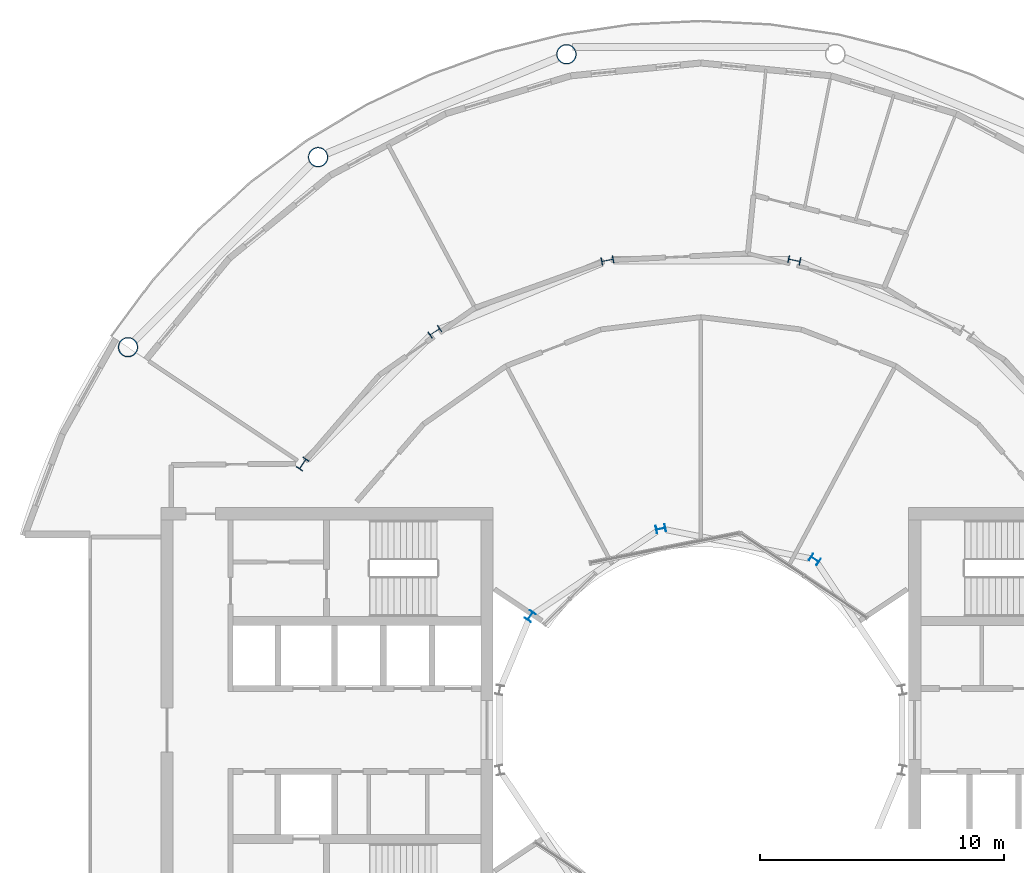
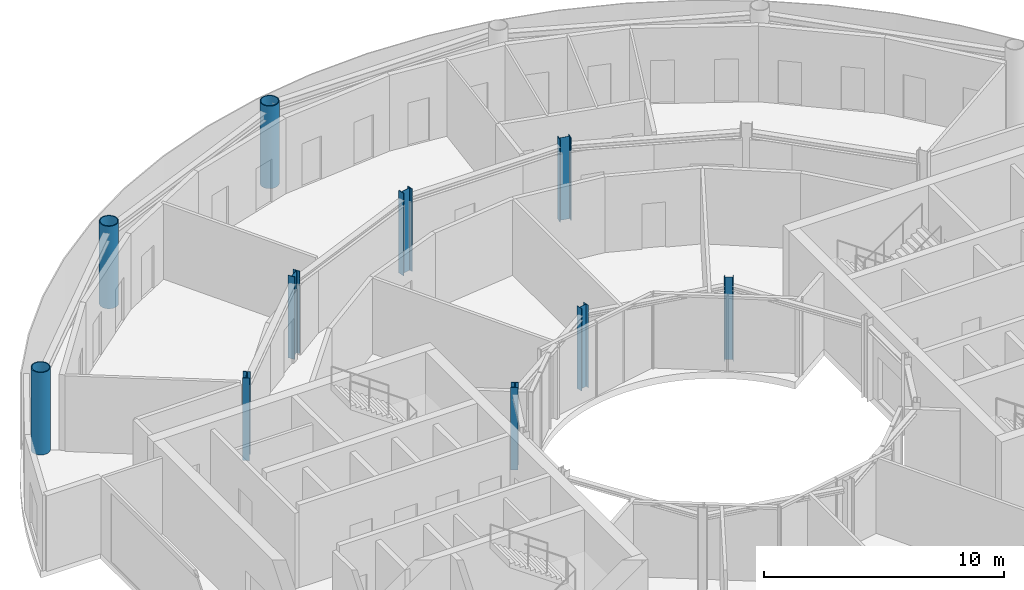
# One storey, part 3 of 21: 10 columns.
"""IFC4 building model written with IfcOpenShell, lengths in metres."""

import ifcopenshell
import ifcopenshell.guid

model = None  # the IFC model being written
_history = None  # IfcOwnerHistory: only IFC2X3 demands one
_inside = {}  # id of a spatial element -> (the spatial element, [elements in it])
_under = {}  # id of a project, library or spatial element -> (it, [spatial elements below it])
_declared = {}  # id of a project -> (the project, [libraries it declares])
_typed = {}  # id of a type object -> (the type object, [elements of that type])
_made_of = {}  # id of a material, layer set ... -> (it, [elements and type objects made of it])


def new_model(schema):
    """Start an empty IFC model of exactly this schema.

    Asked for "IFC4X3", IfcOpenShell would pick the latest addendum, in which some entities
    have other attributes; the version numbers below select the first issue.
    IFC2X3 requires an IfcOwnerHistory on every rooted entity: one is made here for all.
    """
    global model, _history
    if schema == "IFC4X3":
        model = ifcopenshell.file(schema_version=(4, 3, 0, 0))
    else:
        model = ifcopenshell.file(schema=schema)
    _inside.clear()
    _under.clear()
    _declared.clear()
    _typed.clear()
    _made_of.clear()
    _history = None
    if model.schema == "IFC2X3":
        org = make("IfcOrganization", Name="unknown")
        user = make(
            "IfcPersonAndOrganization",
            ThePerson=make("IfcPerson", FamilyName="unknown"),
            TheOrganization=org,
        )
        app = make(
            "IfcApplication",
            ApplicationDeveloper=org,
            Version="unknown",
            ApplicationFullName="unknown",
            ApplicationIdentifier="unknown",
        )
        _history = make(
            "IfcOwnerHistory",
            OwningUser=user,
            OwningApplication=app,
            ChangeAction="ADDED",
            CreationDate=0,
        )
    return model


def make(cls, **values):
    """One entity of the class cls with the attributes given. An attribute that is None is left unset."""
    return model.create_entity(
        cls, **{name: value for name, value in values.items() if value is not None}
    )


def rooted(cls, **values):
    """An entity with a GlobalId (a new one), such as an element, a storey or a relation."""
    return make(cls, GlobalId=ifcopenshell.guid.new(), OwnerHistory=_history, **values)


def si_unit(unit_type, name, prefix=None):
    """IfcSIUnit, for example si_unit("LENGTHUNIT", "METRE", prefix="MILLI")."""
    return make("IfcSIUnit", UnitType=unit_type, Prefix=prefix, Name=name)


def assignment(units):
    """IfcUnitAssignment: the units of a project."""
    return None if units is None else make("IfcUnitAssignment", Units=units)


def point(xyz):
    """IfcCartesianPoint."""
    return None if xyz is None else make("IfcCartesianPoint", Coordinates=xyz)


def direction(xyz):
    """IfcDirection."""
    return None if xyz is None else make("IfcDirection", DirectionRatios=xyz)


def frame(location, z_axis=None, x_axis=None):
    """IfcAxis2Placement3D, a coordinate frame: its origin and axes. An axis left out is left unset."""
    return make(
        "IfcAxis2Placement3D",
        Location=point(location),
        Axis=direction(z_axis),
        RefDirection=direction(x_axis),
    )


def frame_2d(location, x_axis=None):
    """IfcAxis2Placement2D, a coordinate frame in the plane: its origin and x axis."""
    return make(
        "IfcAxis2Placement2D", Location=point(location), RefDirection=direction(x_axis)
    )


def origin():
    """The frame at (0, 0, 0) with its axes left unset."""
    return frame((0.0, 0.0, 0.0))


def origin_2d():
    """The frame at (0, 0) in the plane with its x axis left unset."""
    return frame_2d((0.0, 0.0))


def place(relative_to, where):
    """IfcLocalPlacement: puts the frame where relative to a parent placement (None: the world)."""
    return make(
        "IfcLocalPlacement", PlacementRelTo=relative_to, RelativePlacement=where
    )


def context(
    kind, dimensions, precision=None, world=None, true_north=None, identifier=None
):
    """IfcGeometricRepresentationContext, for example the 3D "Model" context."""
    return make(
        "IfcGeometricRepresentationContext",
        ContextIdentifier=identifier,
        ContextType=kind,
        CoordinateSpaceDimension=dimensions,
        Precision=precision,
        WorldCoordinateSystem=world,
        TrueNorth=true_north,
    )


def subcontext(parent, identifier, kind, view, scale=None):
    """IfcGeometricRepresentationSubContext, for example "Body" below "Model"."""
    return make(
        "IfcGeometricRepresentationSubContext",
        ContextIdentifier=identifier,
        ContextType=kind,
        ParentContext=parent,
        TargetScale=scale,
        TargetView=view,
    )


def project(units=None, contexts=None):
    """IfcProject with its units and contexts."""
    return rooted(
        "IfcProject",
        Name="project",
        RepresentationContexts=contexts,
        UnitsInContext=assignment(units),
    )


def spatial(cls, under=None, at=None, **own):
    """A site, building, storey or space (cls), placed at a placement, below another one or the project."""
    s = rooted(cls, ObjectPlacement=at, **own)
    if under is not None:
        _under.setdefault(under.id(), (under, []))[1].append(s)
    return s


def profile(cls, at=None, kind="AREA", **sizes):
    """A parametric profile (cls). Its sizes go by their IFC names, for example OverallWidth=200.0."""
    return make(cls, ProfileType=kind, Position=at, **sizes)


def hollow_circle(**sizes):
    """IfcCircleHollowProfileDef."""
    return profile("IfcCircleHollowProfileDef", **sizes)


def i_section(**sizes):
    """IfcIShapeProfileDef."""
    return profile("IfcIShapeProfileDef", **sizes)


def extrude(swept, where, along, depth):
    """IfcExtrudedAreaSolid: the profile swept, set in the frame where, extruded along a direction by depth."""
    return make(
        "IfcExtrudedAreaSolid",
        SweptArea=swept,
        Position=where,
        ExtrudedDirection=direction(along),
        Depth=depth,
    )


def shape(context_of_items, identifier, shape_type, items):
    """IfcShapeRepresentation: the items that make up one representation, for example the "Body"."""
    return make(
        "IfcShapeRepresentation",
        ContextOfItems=context_of_items,
        RepresentationIdentifier=identifier,
        RepresentationType=shape_type,
        Items=items,
    )


def material(Name=None, Category=None):
    """IfcMaterial."""
    return make("IfcMaterial", Name=Name, Category=Category)


def material_profile(
    of_material, cross_section, Name=None, Category=None, Priority=None
):
    """IfcMaterialProfile: a cross section and its material."""
    return make(
        "IfcMaterialProfile",
        Name=Name,
        Material=of_material,
        Profile=cross_section,
        Priority=Priority,
        Category=Category,
    )


def profile_set(profiles, Name=None, composite=None):
    """IfcMaterialProfileSet."""
    return make(
        "IfcMaterialProfileSet",
        Name=Name,
        MaterialProfiles=profiles,
        CompositeProfile=composite,
    )


def made_of(thing, what):
    """Note that an element or type object is made of a material, layer set ...; save() writes the relation."""
    if what is not None:
        _made_of.setdefault(what.id(), (what, []))[1].append(thing)
    return thing


def type_object(cls, material=None, **own):
    """A type object (cls), such as IfcWallType, which elements share."""
    return made_of(rooted(cls, **own), material)


def element(
    cls,
    number,
    at=None,
    inside=None,
    cuts=None,
    type_object=None,
    material=None,
    context=None,
    identifier="Body",
    shape_type=None,
    held_by="IfcProductDefinitionShape",
    body=None,
    shapes=None,
    **own,
):
    """One element of the class cls, such as IfcWall. Its Tag is "e" and its number.

    at: its placement. inside: the storey or other place that contains it. cuts: it is an
    opening in that element (IfcRelVoidsElement). A single representation is given by context,
    identifier, shape_type and body (its items); several are given by shapes. held_by: the class
    of the entity that holds the representations. save() writes the other relations.
    """
    e = rooted(cls, Tag="e%d" % number, ObjectPlacement=at, **own)
    if body is not None:
        shapes = [shape(context, identifier, shape_type, body)]
    if shapes is not None:
        e.Representation = make(held_by, Representations=shapes)
    if inside is not None:
        _inside.setdefault(inside.id(), (inside, []))[1].append(e)
    if cuts is not None:
        rooted(
            "IfcRelVoidsElement", RelatingBuildingElement=cuts, RelatedOpeningElement=e
        )
    if type_object is not None:
        _typed.setdefault(type_object.id(), (type_object, []))[1].append(e)
    return made_of(e, material)


def aggregate(whole, parts):
    """IfcRelAggregates: a whole, such as a stair, and the parts it consists of."""
    return rooted("IfcRelAggregates", RelatingObject=whole, RelatedObjects=parts)


def save(model, path):
    """Write the relations noted so far, then the file.

    IfcRelAggregates (storeys below a building ...), IfcRelContainedInSpatialStructure (elements
    in a storey), IfcRelDefinesByType, IfcRelAssociatesMaterial and IfcRelDeclares: one each for
    every whole, place, type object, material and project.
    """
    for whole, parts in _under.values():
        aggregate(whole, parts)
    for where, things in _inside.values():
        rooted(
            "IfcRelContainedInSpatialStructure",
            RelatedElements=things,
            RelatingStructure=where,
        )
    for kind, things in _typed.values():
        rooted("IfcRelDefinesByType", RelatedObjects=things, RelatingType=kind)
    for what, things in _made_of.values():
        rooted("IfcRelAssociatesMaterial", RelatedObjects=things, RelatingMaterial=what)
    for by, libraries in _declared.values():
        rooted("IfcRelDeclares", RelatingContext=by, RelatedDefinitions=libraries)
    model.write(path)


model = new_model("IFC4")

# Units and contexts
model_context = context("Model", 3, precision=1e-05, world=origin(), true_north=direction((0.0, 1.0)))
body_context = subcontext(model_context, "Body", "Model", "MODEL_VIEW")
ifc_project = project(units=[si_unit("LENGTHUNIT", "METRE"), si_unit("AREAUNIT", "SQUARE_METRE"), si_unit("VOLUMEUNIT", "CUBIC_METRE"), si_unit("PLANEANGLEUNIT", "RADIAN"), si_unit("MASSUNIT", "GRAM", prefix="KILO")], contexts=[model_context])

# Site, building, storey
site_placement = place(None, origin())
site = spatial("IfcSite", under=ifc_project, at=site_placement, CompositionType="ELEMENT")
building_placement = place(site_placement, origin())
building = spatial("IfcBuilding", under=site, at=building_placement, Name="Maasbend Ring Residences", CompositionType="ELEMENT")
storey_placement = place(building_placement, frame((0.0, 0.0, 157.39990234375)))
storey = spatial("IfcBuildingStorey", under=building, at=storey_placement, Name="L45", CompositionType="ELEMENT", Elevation=157.39990234375)

# Columns
ifc_material_1 = material(Name="Composite concrete-filled steel tube S460NH / C80/95", Category="concrete")
ifc_material_profile_1 = material_profile(ifc_material_1, hollow_circle(Radius=0.406494140625, WallThickness=0.0400390625, at=origin_2d()), Name="Composite tube column CHS 813x40")
ifc_profile_set_1 = profile_set([ifc_material_profile_1], Name="Composite concrete-filled steel tube S460NH / C80/95")
column_type_1 = type_object("IfcColumnType", Name="Composite tube column CHS 813x40", PredefinedType="COLUMN", material=ifc_profile_set_1)
for number, where, z_axis, x_axis, name in (
    (1, (-5.50146484375, 27.658203125, 0.0), (0.0, 0.0, 1.0), (1.0, 0.0, 0.0), "Outer column R5"),
    (2, (-15.6669921875, 23.447509765625, 0.0), (0.0, 0.0, 1.0), (1.0, 0.0, 0.0), "Outer column R6"),
    (3, (-23.447509765625, 15.6669921875, 0.0), (0.0, 0.0, 1.0), (1.0, 0.0, 0.0), "Outer column R7"),
):
    element("IfcColumn", number, at=place(storey_placement, frame(where, z_axis=z_axis, x_axis=x_axis)), inside=storey, type_object=column_type_1, Name=name, PredefinedType="COLUMN", context=body_context, shape_type="SweptSolid", body=[
        extrude(hollow_circle(Radius=0.406494140625, WallThickness=0.0400390625, at=origin_2d()), origin(), (0.0, 0.0, 1.0), 4.2001953125),
    ])
ifc_material_2 = material(Name="Steel S355J2", Category="steel")
ifc_material_profile_2 = material_profile(ifc_material_2, i_section(OverallWidth=0.300048828125, OverallDepth=0.389892578125, WebThickness=0.010986328125, FlangeThickness=0.01904296875, FilletRadius=0.027099609375, at=origin_2d()), Name="HEA 400")
ifc_profile_set_2 = profile_set([ifc_material_profile_2], Name="Steel S355J2")
column_type_2 = type_object("IfcColumnType", Name="Steel column HEA 400", PredefinedType="COLUMN", material=ifc_profile_set_2)
for number, where, z_axis, x_axis, name in (
    (4, (4.666748046875, 6.984375, 0.0), (0.0, 0.0, 1.0), (0.55557023302, 0.831469612303, 0.0), "Well ring column R3"),
    (5, (-1.638916015625, 8.238525390625, 0.0), (0.0, 0.0, 1.0), (-0.195090322016, 0.980785280403, 0.0), "Well ring column R5"),
    (6, (-6.984375, 4.666748046875, 0.0), (0.0, 0.0, 1.0), (-0.831469612303, 0.55557023302, 0.0), "Well ring column R7"),
):
    element("IfcColumn", number, at=place(storey_placement, frame(where, z_axis=z_axis, x_axis=x_axis)), inside=storey, type_object=column_type_2, Name=name, PredefinedType="COLUMN", context=body_context, shape_type="SweptSolid", body=[
        extrude(i_section(OverallWidth=0.300048828125, OverallDepth=0.389892578125, WebThickness=0.010986328125, FlangeThickness=0.01904296875, FilletRadius=0.027099609375, at=origin_2d()), origin(), (0.0, 0.0, 1.0), 4.2001953125),
    ])
ifc_material_3 = material(Name="Steel S355J2", Category="steel")
ifc_material_profile_3 = material_profile(ifc_material_3, i_section(OverallWidth=0.300048828125, OverallDepth=0.5, WebThickness=0.014404296875, FlangeThickness=0.028076171875, FilletRadius=0.027099609375, at=origin_2d()), Name="HEB 500")
ifc_profile_set_3 = profile_set([ifc_material_profile_3], Name="Steel S355J2")
column_type_3 = type_object("IfcColumnType", Name="Steel column HEB 500", PredefinedType="COLUMN", material=ifc_profile_set_3)
for number, where, z_axis, x_axis, name in (
    (7, (3.82373046875, 19.223388671875, 0.0), (0.0, 0.0, 1.0), (0.195090322016, 0.980785280403, 0.0), "Corridor ring column R4"),
    (8, (-3.82373046875, 19.223388671875, 0.0), (0.0, 0.0, 1.0), (-0.195090322016, 0.980785280403, 0.0), "Corridor ring column R5"),
    (9, (-10.88916015625, 16.296875, 0.0), (0.0, 0.0, 1.0), (-0.55557023302, 0.831469612303, 0.0), "Corridor ring column R6"),
    (10, (-16.296875, 10.88916015625, 0.0), (0.0, 0.0, 1.0), (-0.831469612303, 0.55557023302, 0.0), "Corridor ring column R7"),
):
    element("IfcColumn", number, at=place(storey_placement, frame(where, z_axis=z_axis, x_axis=x_axis)), inside=storey, type_object=column_type_3, Name=name, PredefinedType="COLUMN", context=body_context, shape_type="SweptSolid", body=[
        extrude(i_section(OverallWidth=0.300048828125, OverallDepth=0.5, WebThickness=0.014404296875, FlangeThickness=0.028076171875, FilletRadius=0.027099609375, at=origin_2d()), origin(), (0.0, 0.0, 1.0), 4.2001953125),
    ])

save(model, "model.ifc")
